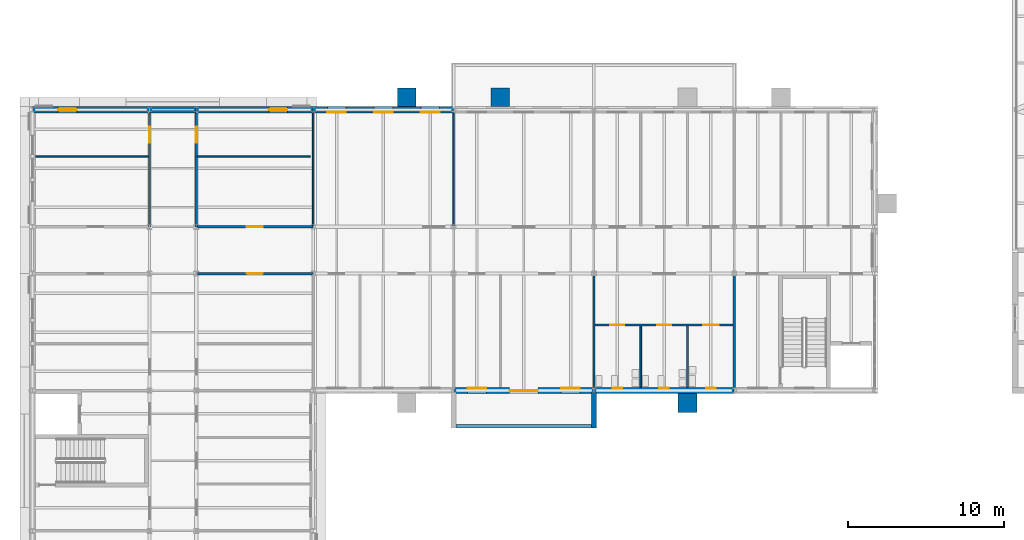
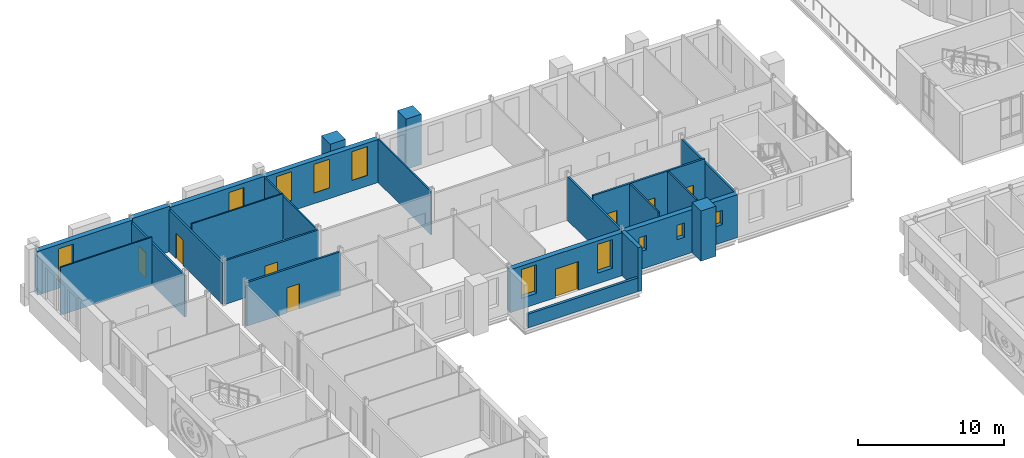
# One storey, part 111 of 154: 24 walls, 10 windows, 8 doors, 18 openings.
"""IFC4 building model written with IfcOpenShell, lengths in metres."""

import ifcopenshell
import ifcopenshell.guid

model = None  # the IFC model being written
_history = None  # IfcOwnerHistory: only IFC2X3 demands one
_inside = {}  # id of a spatial element -> (the spatial element, [elements in it])
_under = {}  # id of a project, library or spatial element -> (it, [spatial elements below it])
_declared = {}  # id of a project -> (the project, [libraries it declares])
_typed = {}  # id of a type object -> (the type object, [elements of that type])
_made_of = {}  # id of a material, layer set ... -> (it, [elements and type objects made of it])


def new_model(schema):
    """Start an empty IFC model of exactly this schema.

    Asked for "IFC4X3", IfcOpenShell would pick the latest addendum, in which some entities
    have other attributes; the version numbers below select the first issue.
    IFC2X3 requires an IfcOwnerHistory on every rooted entity: one is made here for all.
    """
    global model, _history
    if schema == "IFC4X3":
        model = ifcopenshell.file(schema_version=(4, 3, 0, 0))
    else:
        model = ifcopenshell.file(schema=schema)
    _inside.clear()
    _under.clear()
    _declared.clear()
    _typed.clear()
    _made_of.clear()
    _history = None
    if model.schema == "IFC2X3":
        org = make("IfcOrganization", Name="unknown")
        user = make(
            "IfcPersonAndOrganization",
            ThePerson=make("IfcPerson", FamilyName="unknown"),
            TheOrganization=org,
        )
        app = make(
            "IfcApplication",
            ApplicationDeveloper=org,
            Version="unknown",
            ApplicationFullName="unknown",
            ApplicationIdentifier="unknown",
        )
        _history = make(
            "IfcOwnerHistory",
            OwningUser=user,
            OwningApplication=app,
            ChangeAction="ADDED",
            CreationDate=0,
        )
    return model


def make(cls, **values):
    """One entity of the class cls with the attributes given. An attribute that is None is left unset."""
    return model.create_entity(
        cls, **{name: value for name, value in values.items() if value is not None}
    )


def rooted(cls, **values):
    """An entity with a GlobalId (a new one), such as an element, a storey or a relation."""
    return make(cls, GlobalId=ifcopenshell.guid.new(), OwnerHistory=_history, **values)


def si_unit(unit_type, name, prefix=None):
    """IfcSIUnit, for example si_unit("LENGTHUNIT", "METRE", prefix="MILLI")."""
    return make("IfcSIUnit", UnitType=unit_type, Prefix=prefix, Name=name)


def assignment(units):
    """IfcUnitAssignment: the units of a project."""
    return None if units is None else make("IfcUnitAssignment", Units=units)


def point(xyz):
    """IfcCartesianPoint."""
    return None if xyz is None else make("IfcCartesianPoint", Coordinates=xyz)


def direction(xyz):
    """IfcDirection."""
    return None if xyz is None else make("IfcDirection", DirectionRatios=xyz)


def frame(location, z_axis=None, x_axis=None):
    """IfcAxis2Placement3D, a coordinate frame: its origin and axes. An axis left out is left unset."""
    return make(
        "IfcAxis2Placement3D",
        Location=point(location),
        Axis=direction(z_axis),
        RefDirection=direction(x_axis),
    )


def frame_2d(location, x_axis=None):
    """IfcAxis2Placement2D, a coordinate frame in the plane: its origin and x axis."""
    return make(
        "IfcAxis2Placement2D", Location=point(location), RefDirection=direction(x_axis)
    )


def origin():
    """The frame at (0, 0, 0) with its axes left unset."""
    return frame((0.0, 0.0, 0.0))


def place(relative_to, where):
    """IfcLocalPlacement: puts the frame where relative to a parent placement (None: the world)."""
    return make(
        "IfcLocalPlacement", PlacementRelTo=relative_to, RelativePlacement=where
    )


def context(
    kind, dimensions, precision=None, world=None, true_north=None, identifier=None
):
    """IfcGeometricRepresentationContext, for example the 3D "Model" context."""
    return make(
        "IfcGeometricRepresentationContext",
        ContextIdentifier=identifier,
        ContextType=kind,
        CoordinateSpaceDimension=dimensions,
        Precision=precision,
        WorldCoordinateSystem=world,
        TrueNorth=true_north,
    )


def subcontext(parent, identifier, kind, view, scale=None):
    """IfcGeometricRepresentationSubContext, for example "Body" below "Model"."""
    return make(
        "IfcGeometricRepresentationSubContext",
        ContextIdentifier=identifier,
        ContextType=kind,
        ParentContext=parent,
        TargetScale=scale,
        TargetView=view,
    )


def project(units=None, contexts=None):
    """IfcProject with its units and contexts."""
    return rooted(
        "IfcProject",
        Name="project",
        RepresentationContexts=contexts,
        UnitsInContext=assignment(units),
    )


def spatial(cls, under=None, at=None, **own):
    """A site, building, storey or space (cls), placed at a placement, below another one or the project."""
    s = rooted(cls, ObjectPlacement=at, **own)
    if under is not None:
        _under.setdefault(under.id(), (under, []))[1].append(s)
    return s


def profile(cls, at=None, kind="AREA", **sizes):
    """A parametric profile (cls). Its sizes go by their IFC names, for example OverallWidth=200.0."""
    return make(cls, ProfileType=kind, Position=at, **sizes)


def rectangle(**sizes):
    """IfcRectangleProfileDef."""
    return profile("IfcRectangleProfileDef", **sizes)


def extrude(swept, where, along, depth):
    """IfcExtrudedAreaSolid: the profile swept, set in the frame where, extruded along a direction by depth."""
    return make(
        "IfcExtrudedAreaSolid",
        SweptArea=swept,
        Position=where,
        ExtrudedDirection=direction(along),
        Depth=depth,
    )


def shape(context_of_items, identifier, shape_type, items):
    """IfcShapeRepresentation: the items that make up one representation, for example the "Body"."""
    return make(
        "IfcShapeRepresentation",
        ContextOfItems=context_of_items,
        RepresentationIdentifier=identifier,
        RepresentationType=shape_type,
        Items=items,
    )


def material(Name=None, Category=None):
    """IfcMaterial."""
    return make("IfcMaterial", Name=Name, Category=Category)


def layer(
    of_material, thickness, ventilated=None, Name=None, Category=None, Priority=None
):
    """IfcMaterialLayer: one layer of a wall or slab, of a material (None: an air gap)."""
    return make(
        "IfcMaterialLayer",
        Material=of_material,
        LayerThickness=thickness,
        IsVentilated=ventilated,
        Name=Name,
        Category=Category,
        Priority=Priority,
    )


def layer_set(layers, Name=None):
    """IfcMaterialLayerSet."""
    return make("IfcMaterialLayerSet", MaterialLayers=layers, LayerSetName=Name)


def made_of(thing, what):
    """Note that an element or type object is made of a material, layer set ...; save() writes the relation."""
    if what is not None:
        _made_of.setdefault(what.id(), (what, []))[1].append(thing)
    return thing


def type_object(cls, material=None, **own):
    """A type object (cls), such as IfcWallType, which elements share."""
    return made_of(rooted(cls, **own), material)


def element(
    cls,
    number,
    at=None,
    inside=None,
    cuts=None,
    type_object=None,
    material=None,
    context=None,
    identifier="Body",
    shape_type=None,
    held_by="IfcProductDefinitionShape",
    body=None,
    shapes=None,
    **own,
):
    """One element of the class cls, such as IfcWall. Its Tag is "e" and its number.

    at: its placement. inside: the storey or other place that contains it. cuts: it is an
    opening in that element (IfcRelVoidsElement). A single representation is given by context,
    identifier, shape_type and body (its items); several are given by shapes. held_by: the class
    of the entity that holds the representations. save() writes the other relations.
    """
    e = rooted(cls, Tag="e%d" % number, ObjectPlacement=at, **own)
    if body is not None:
        shapes = [shape(context, identifier, shape_type, body)]
    if shapes is not None:
        e.Representation = make(held_by, Representations=shapes)
    if inside is not None:
        _inside.setdefault(inside.id(), (inside, []))[1].append(e)
    if cuts is not None:
        rooted(
            "IfcRelVoidsElement", RelatingBuildingElement=cuts, RelatedOpeningElement=e
        )
    if type_object is not None:
        _typed.setdefault(type_object.id(), (type_object, []))[1].append(e)
    return made_of(e, material)


def fill(opening, filler):
    """IfcRelFillsElement: the door or window that sits in an opening."""
    return rooted(
        "IfcRelFillsElement",
        RelatingOpeningElement=opening,
        RelatedBuildingElement=filler,
    )


def aggregate(whole, parts):
    """IfcRelAggregates: a whole, such as a stair, and the parts it consists of."""
    return rooted("IfcRelAggregates", RelatingObject=whole, RelatedObjects=parts)


def save(model, path):
    """Write the relations noted so far, then the file.

    IfcRelAggregates (storeys below a building ...), IfcRelContainedInSpatialStructure (elements
    in a storey), IfcRelDefinesByType, IfcRelAssociatesMaterial and IfcRelDeclares: one each for
    every whole, place, type object, material and project.
    """
    for whole, parts in _under.values():
        aggregate(whole, parts)
    for where, things in _inside.values():
        rooted(
            "IfcRelContainedInSpatialStructure",
            RelatedElements=things,
            RelatingStructure=where,
        )
    for kind, things in _typed.values():
        rooted("IfcRelDefinesByType", RelatedObjects=things, RelatingType=kind)
    for what, things in _made_of.values():
        rooted("IfcRelAssociatesMaterial", RelatedObjects=things, RelatingMaterial=what)
    for by, libraries in _declared.values():
        rooted("IfcRelDeclares", RelatingContext=by, RelatedDefinitions=libraries)
    model.write(path)


model = new_model("IFC4")

# Units and contexts
model_context = context("Model", 3, precision=1e-05, world=origin(), true_north=direction((0.0, 1.0)))
body_context = subcontext(model_context, "Body", "Model", "MODEL_VIEW")
ifc_project = project(units=[si_unit("LENGTHUNIT", "METRE"), si_unit("AREAUNIT", "SQUARE_METRE"), si_unit("VOLUMEUNIT", "CUBIC_METRE"), si_unit("PLANEANGLEUNIT", "RADIAN"), si_unit("MASSUNIT", "GRAM", prefix="KILO")], contexts=[model_context])

# Site, building, storey
site_placement = place(None, origin())
site = spatial("IfcSite", under=ifc_project, at=site_placement, CompositionType="ELEMENT")
building_placement = place(site_placement, origin())
building = spatial("IfcBuilding", under=site, at=building_placement, Name="Golden Quay Civic Hall", CompositionType="ELEMENT")
storey_placement = place(building_placement, frame((0.0, 0.0, 14.39990234375)))
storey = spatial("IfcBuildingStorey", under=building, at=storey_placement, Name="L03", CompositionType="ELEMENT", Elevation=14.39990234375)

# Wall
ifc_material_1 = material(Name="Brick, dark clay facing", Category="masonry")
ifc_layer_1 = layer(ifc_material_1, 0.199951171875)
ifc_layer_set_1 = layer_set([ifc_layer_1], Name="Brick balustrade wall 200")
wall_type_1 = type_object("IfcWallType", Name="Brick balustrade wall 200", PredefinedType="STANDARD", material=ifc_layer_set_1)
wall_1_placement = place(storey_placement, frame((27.14990234375, 60.719970703125, 0.0), z_axis=(0.0, 0.0, 1.0), x_axis=(1.0, 0.0, 0.0)))
element("IfcWall", 1, at=wall_1_placement, inside=storey, type_object=wall_type_1, Name="Brick balustrade wall 200 L03 1", PredefinedType="STANDARD", context=body_context, shape_type="SweptSolid", body=[
    extrude(rectangle(XDim=8.7001953125, YDim=0.199951171875, at=frame_2d((4.35009765625, 0.0))), origin(), (0.0, 0.0, 1.0), 1.150146484375),
])

# Wall, openings, windows
ifc_material_2 = material(Name="Brick, dark clay facing", Category="masonry")
ifc_layer_2 = layer(ifc_material_2, 0.39990234375)
ifc_layer_set_2 = layer_set([ifc_layer_2], Name="Brick external wall 400")
wall_type_2 = type_object("IfcWallType", Name="Brick external wall 400", PredefinedType="STANDARD", material=ifc_layer_set_2)
wall_2_placement = place(storey_placement, frame((18.009033203125, 81.0, 0.0), z_axis=(0.0, 0.0, 1.0), x_axis=(1.0, 0.0, 0.0)))
wall_2 = element("IfcWall", 2, at=wall_2_placement, inside=storey, type_object=wall_type_2, Name="Brick external wall 400 L03 2", PredefinedType="STANDARD", context=body_context, shape_type="SweptSolid", body=[
    extrude(rectangle(XDim=8.982177734375, YDim=0.39990234375, at=frame_2d((4.4912109375, 0.0))), origin(), (0.0, 0.0, 1.0), 3.60009765625),
])
opening_1_placement = place(wall_2_placement, frame((0.89111328125, 0.0, 0.89990234375)))
opening_1 = element("IfcOpeningElement", 3, at=opening_1_placement, cuts=wall_2, Name="Opening WN7", PredefinedType="OPENING", context=body_context, shape_type="SweptSolid", body=[
    extrude(rectangle(XDim=1.199951171875, YDim=2.39990234375, at=frame_2d((0.60009765625, 1.199951171875))), frame((0.0, 0.2099609375, 0.0), z_axis=(0.0, -1.0, 0.0), x_axis=(1.0, 0.0, 0.0)), (0.0, 0.0, 1.0), 0.419921875),
])
opening_2_placement = place(wall_2_placement, frame((3.89111328125, 0.0, 0.89990234375)))
opening_2 = element("IfcOpeningElement", 4, at=opening_2_placement, cuts=wall_2, Name="Opening WN7", PredefinedType="OPENING", context=body_context, shape_type="SweptSolid", body=[
    extrude(rectangle(XDim=1.199951171875, YDim=2.39990234375, at=frame_2d((0.60009765625, 1.199951171875))), frame((0.0, 0.2099609375, 0.0), z_axis=(0.0, -1.0, 0.0), x_axis=(1.0, 0.0, 0.0)), (0.0, 0.0, 1.0), 0.419921875),
])
opening_3_placement = place(wall_2_placement, frame((6.89111328125, 0.0, 0.89990234375)))
opening_3 = element("IfcOpeningElement", 5, at=opening_3_placement, cuts=wall_2, Name="Opening WN7", PredefinedType="OPENING", context=body_context, shape_type="SweptSolid", body=[
    extrude(rectangle(XDim=1.199951171875, YDim=2.39990234375, at=frame_2d((0.60009765625, 1.199951171875))), frame((0.0, 0.2099609375, 0.0), z_axis=(0.0, -1.0, 0.0), x_axis=(1.0, 0.0, 0.0)), (0.0, 0.0, 1.0), 0.419921875),
])
ifc_material_3 = material(Name="Aluminium frame, double glazed", Category="aluminium")
window_type_1 = type_object("IfcWindowType", Name="Window 1200 x 2400", PartitioningType="SINGLE_PANEL", PredefinedType="WINDOW", material=ifc_material_3)
window_1_placement = place(opening_1_placement, origin())
window_1 = element("IfcWindow", 6, at=window_1_placement, inside=storey, type_object=window_type_1, Name="Window 1200 x 2400 L03 4", OverallHeight=2.39990234375, OverallWidth=1.199951171875, PartitioningType="SINGLE_PANEL", PredefinedType="WINDOW", context=body_context, shape_type="SweptSolid", body=[
    extrude(rectangle(XDim=1.199951171875, YDim=2.39990234375, at=frame_2d((0.60009765625, 1.199951171875))), frame((0.0, -0.119873046875, 0.0), z_axis=(0.0, -1.0, 0.0), x_axis=(1.0, 0.0, 0.0)), (0.0, 0.0, 1.0), 0.06005859375),
])
fill(opening_1, window_1)
window_2_placement = place(opening_2_placement, origin())
window_2 = element("IfcWindow", 7, at=window_2_placement, inside=storey, type_object=window_type_1, Name="Window 1200 x 2400 L03 5", OverallHeight=2.39990234375, OverallWidth=1.199951171875, PartitioningType="SINGLE_PANEL", PredefinedType="WINDOW", context=body_context, shape_type="SweptSolid", body=[
    extrude(rectangle(XDim=1.199951171875, YDim=2.39990234375, at=frame_2d((0.60009765625, 1.199951171875))), frame((0.0, -0.119873046875, 0.0), z_axis=(0.0, -1.0, 0.0), x_axis=(1.0, 0.0, 0.0)), (0.0, 0.0, 1.0), 0.06005859375),
])
fill(opening_2, window_2)
window_3_placement = place(opening_3_placement, origin())
window_3 = element("IfcWindow", 8, at=window_3_placement, inside=storey, type_object=window_type_1, Name="Window 1200 x 2400 L03 6", OverallHeight=2.39990234375, OverallWidth=1.199951171875, PartitioningType="SINGLE_PANEL", PredefinedType="WINDOW", context=body_context, shape_type="SweptSolid", body=[
    extrude(rectangle(XDim=1.199951171875, YDim=2.39990234375, at=frame_2d((0.60009765625, 1.199951171875))), frame((0.0, -0.119873046875, 0.0), z_axis=(0.0, -1.0, 0.0), x_axis=(1.0, 0.0, 0.0)), (0.0, 0.0, 1.0), 0.06005859375),
])
fill(opening_3, window_3)

# Wall, openings, door, windows
wall_3_placement = place(storey_placement, frame((35.9912109375, 63.0, 0.0), z_axis=(0.0, 0.0, 1.0), x_axis=(-1.0, 0.0, 0.0)))
wall_3 = element("IfcWall", 9, at=wall_3_placement, inside=storey, type_object=wall_type_2, Name="Brick external wall 400 L03 9", PredefinedType="STANDARD", context=body_context, shape_type="SweptSolid", body=[
    extrude(rectangle(XDim=8.982421875, YDim=0.39990234375, at=frame_2d((4.4912109375, 0.0))), origin(), (0.0, 0.0, 1.0), 3.60009765625),
])
opening_4_placement = place(wall_3_placement, frame((3.59130859375, 0.0, 0.0)))
opening_4 = element("IfcOpeningElement", 10, at=opening_4_placement, cuts=wall_3, Name="Opening L03-D001", PredefinedType="OPENING", context=body_context, shape_type="SweptSolid", body=[
    extrude(rectangle(XDim=1.800048828125, YDim=2.39990234375, at=frame_2d((0.89990234375, 1.199951171875))), frame((0.0, 0.2099609375, 0.0), z_axis=(0.0, -1.0, 0.0), x_axis=(1.0, 0.0, 0.0)), (0.0, 0.0, 1.0), 0.419921875),
])
opening_5_placement = place(wall_3_placement, frame((6.891357421875, 0.0, 0.89990234375)))
opening_5 = element("IfcOpeningElement", 11, at=opening_5_placement, cuts=wall_3, Name="Opening WN7", PredefinedType="OPENING", context=body_context, shape_type="SweptSolid", body=[
    extrude(rectangle(XDim=1.199951171875, YDim=2.39990234375, at=frame_2d((0.60009765625, 1.199951171875))), frame((0.0, 0.2099609375, 0.0), z_axis=(0.0, -1.0, 0.0), x_axis=(1.0, 0.0, 0.0)), (0.0, 0.0, 1.0), 0.419921875),
])
opening_6_placement = place(wall_3_placement, frame((0.891357421875, 0.0, 0.89990234375)))
opening_6 = element("IfcOpeningElement", 12, at=opening_6_placement, cuts=wall_3, Name="Opening WN7", PredefinedType="OPENING", context=body_context, shape_type="SweptSolid", body=[
    extrude(rectangle(XDim=1.199951171875, YDim=2.39990234375, at=frame_2d((0.60009765625, 1.199951171875))), frame((0.0, 0.2099609375, 0.0), z_axis=(0.0, -1.0, 0.0), x_axis=(1.0, 0.0, 0.0)), (0.0, 0.0, 1.0), 0.419921875),
])
ifc_material_4 = material(Name="Aluminium frame, glazed", Category="aluminium")
door_type_1 = type_object("IfcDoorType", Name="Glazed double terrace door 1800 x 2400", OperationType="DOUBLE_DOOR_SINGLE_SWING", PredefinedType="DOOR", material=ifc_material_4)
door_1_placement = place(opening_4_placement, origin())
door_1 = element("IfcDoor", 13, at=door_1_placement, inside=storey, type_object=door_type_1, Name="Door L03-D001", OperationType="DOUBLE_DOOR_SINGLE_SWING", OverallHeight=2.39990234375, OverallWidth=1.800048828125, PredefinedType="DOOR", context=body_context, shape_type="SweptSolid", body=[
    extrude(rectangle(XDim=1.800048828125, YDim=2.39990234375, at=frame_2d((0.89990234375, 1.199951171875))), frame((0.0, 0.02490234375, 0.0), z_axis=(0.0, -1.0, 0.0), x_axis=(1.0, 0.0, 0.0)), (0.0, 0.0, 1.0), 0.050048828125),
])
fill(opening_4, door_1)
window_4_placement = place(opening_5_placement, origin())
window_4 = element("IfcWindow", 14, at=window_4_placement, inside=storey, type_object=window_type_1, Name="Window 1200 x 2400 L03 21", OverallHeight=2.39990234375, OverallWidth=1.199951171875, PartitioningType="SINGLE_PANEL", PredefinedType="WINDOW", context=body_context, shape_type="SweptSolid", body=[
    extrude(rectangle(XDim=1.199951171875, YDim=2.39990234375, at=frame_2d((0.60009765625, 1.199951171875))), frame((0.0, -0.119873046875, 0.0), z_axis=(0.0, -1.0, 0.0), x_axis=(1.0, 0.0, 0.0)), (0.0, 0.0, 1.0), 0.06005859375),
])
fill(opening_5, window_4)
window_5_placement = place(opening_6_placement, origin())
window_5 = element("IfcWindow", 15, at=window_5_placement, inside=storey, type_object=window_type_1, Name="Window 1200 x 2400 L03 22", OverallHeight=2.39990234375, OverallWidth=1.199951171875, PartitioningType="SINGLE_PANEL", PredefinedType="WINDOW", context=body_context, shape_type="SweptSolid", body=[
    extrude(rectangle(XDim=1.199951171875, YDim=2.39990234375, at=frame_2d((0.60009765625, 1.199951171875))), frame((0.0, -0.119873046875, 0.0), z_axis=(0.0, -1.0, 0.0), x_axis=(1.0, 0.0, 0.0)), (0.0, 0.0, 1.0), 0.06005859375),
])
fill(opening_6, window_5)

# Wall, openings, windows
wall_4_placement = place(storey_placement, frame((44.9912109375, 63.0, 0.0), z_axis=(0.0, 0.0, 1.0), x_axis=(-1.0, 0.0, 0.0)))
wall_4 = element("IfcWall", 16, at=wall_4_placement, inside=storey, type_object=wall_type_2, Name="Brick external wall 400 L03 10", PredefinedType="STANDARD", context=body_context, shape_type="SweptSolid", body=[
    extrude(rectangle(XDim=8.982421875, YDim=0.39990234375, at=frame_2d((4.4912109375, 0.0))), origin(), (0.0, 0.0, 1.0), 3.60009765625),
])
opening_7_placement = place(wall_4_placement, frame((7.191162109375, 0.0, 1.5)))
opening_7 = element("IfcOpeningElement", 17, at=opening_7_placement, cuts=wall_4, Name="Opening WN1", PredefinedType="OPENING", context=body_context, shape_type="SweptSolid", body=[
    extrude(rectangle(XDim=0.60009765625, YDim=1.199951171875, at=frame_2d((0.300048828125, 0.60009765625))), frame((0.0, 0.2099609375, 0.0), z_axis=(0.0, -1.0, 0.0), x_axis=(1.0, 0.0, 0.0)), (0.0, 0.0, 1.0), 0.419921875),
])
opening_8_placement = place(wall_4_placement, frame((4.191162109375, 0.0, 1.5)))
opening_8 = element("IfcOpeningElement", 18, at=opening_8_placement, cuts=wall_4, Name="Opening WN1", PredefinedType="OPENING", context=body_context, shape_type="SweptSolid", body=[
    extrude(rectangle(XDim=0.60009765625, YDim=1.199951171875, at=frame_2d((0.300048828125, 0.60009765625))), frame((0.0, 0.2099609375, 0.0), z_axis=(0.0, -1.0, 0.0), x_axis=(1.0, 0.0, 0.0)), (0.0, 0.0, 1.0), 0.419921875),
])
opening_9_placement = place(wall_4_placement, frame((1.191162109375, 0.0, 1.5)))
opening_9 = element("IfcOpeningElement", 19, at=opening_9_placement, cuts=wall_4, Name="Opening WN1", PredefinedType="OPENING", context=body_context, shape_type="SweptSolid", body=[
    extrude(rectangle(XDim=0.60009765625, YDim=1.199951171875, at=frame_2d((0.300048828125, 0.60009765625))), frame((0.0, 0.2099609375, 0.0), z_axis=(0.0, -1.0, 0.0), x_axis=(1.0, 0.0, 0.0)), (0.0, 0.0, 1.0), 0.419921875),
])
ifc_material_5 = material(Name="Aluminium frame, double glazed", Category="aluminium")
window_type_2 = type_object("IfcWindowType", Name="WC window 600 x 1200", PartitioningType="SINGLE_PANEL", PredefinedType="WINDOW", material=ifc_material_5)
window_6_placement = place(opening_7_placement, origin())
window_6 = element("IfcWindow", 20, at=window_6_placement, inside=storey, type_object=window_type_2, Name="WC window 600 x 1200 L03 5", OverallHeight=1.199951171875, OverallWidth=0.60009765625, PartitioningType="SINGLE_PANEL", PredefinedType="WINDOW", context=body_context, shape_type="SweptSolid", body=[
    extrude(rectangle(XDim=0.60009765625, YDim=1.199951171875, at=frame_2d((0.300048828125, 0.60009765625))), frame((0.0, -0.119873046875, 0.0), z_axis=(0.0, -1.0, 0.0), x_axis=(1.0, 0.0, 0.0)), (0.0, 0.0, 1.0), 0.06005859375),
])
fill(opening_7, window_6)
window_7_placement = place(opening_8_placement, origin())
window_7 = element("IfcWindow", 21, at=window_7_placement, inside=storey, type_object=window_type_2, Name="WC window 600 x 1200 L03 6", OverallHeight=1.199951171875, OverallWidth=0.60009765625, PartitioningType="SINGLE_PANEL", PredefinedType="WINDOW", context=body_context, shape_type="SweptSolid", body=[
    extrude(rectangle(XDim=0.60009765625, YDim=1.199951171875, at=frame_2d((0.300048828125, 0.60009765625))), frame((0.0, -0.119873046875, 0.0), z_axis=(0.0, -1.0, 0.0), x_axis=(1.0, 0.0, 0.0)), (0.0, 0.0, 1.0), 0.06005859375),
])
fill(opening_8, window_7)
window_8_placement = place(opening_9_placement, origin())
window_8 = element("IfcWindow", 22, at=window_8_placement, inside=storey, type_object=window_type_2, Name="WC window 600 x 1200 L03 7", OverallHeight=1.199951171875, OverallWidth=0.60009765625, PartitioningType="SINGLE_PANEL", PredefinedType="WINDOW", context=body_context, shape_type="SweptSolid", body=[
    extrude(rectangle(XDim=0.60009765625, YDim=1.199951171875, at=frame_2d((0.300048828125, 0.60009765625))), frame((0.0, -0.119873046875, 0.0), z_axis=(0.0, -1.0, 0.0), x_axis=(1.0, 0.0, 0.0)), (0.0, 0.0, 1.0), 0.06005859375),
])
fill(opening_9, window_8)

# Walls
ifc_material_6 = material(Name="Brick, dark clay facing", Category="masonry")
ifc_layer_3 = layer(ifc_material_6, 0.300048828125)
ifc_layer_set_3 = layer_set([ifc_layer_3], Name="Brick loggia wall 300")
wall_type_3 = type_object("IfcWallType", Name="Brick loggia wall 300", PredefinedType="STANDARD", material=ifc_layer_set_3)
wall_5_placement = place(storey_placement, frame((36.0, 62.885009765625, 0.0), z_axis=(0.0, 0.0, 1.0), x_axis=(0.0, -1.0, 0.0)))
element("IfcWall", 23, at=wall_5_placement, inside=storey, type_object=wall_type_3, Name="Brick loggia wall 300 L03 2", PredefinedType="STANDARD", context=body_context, shape_type="SweptSolid", body=[
    extrude(rectangle(XDim=2.284912109375, YDim=0.300048828125, at=frame_2d((1.142578125, 0.0))), origin(), (0.0, 0.0, 1.0), 3.670166015625),
])
ifc_material_7 = material(Name="Brick, dark clay facing", Category="masonry")
ifc_layer_4 = layer(ifc_material_7, 1.199951171875)
ifc_layer_set_4 = layer_set([ifc_layer_4], Name="Brick pilaster 1200 x 1200")
wall_type_4 = type_object("IfcWallType", Name="Brick pilaster 1200 x 1200", PredefinedType="STANDARD", material=ifc_layer_set_4)
for number, where, z_axis, x_axis, name in (
    (24, (23.39990234375, 81.800048828125, 0.0), (0.0, 0.0, 1.0), (1.0, 0.0, 0.0), "Brick pilaster 1200 x 1200 L03 1"),
    (25, (29.39990234375, 81.800048828125, 0.0), (0.0, 0.0, 1.0), (1.0, 0.0, 0.0), "Brick pilaster 1200 x 1200 L03 2"),
    (26, (41.39990234375, 62.199951171875, 0.0), (0.0, 0.0, 1.0), (1.0, 0.0, 0.0), "Brick pilaster 1200 x 1200 L03 7"),
):
    element("IfcWall", number, at=place(storey_placement, frame(where, z_axis=z_axis, x_axis=x_axis)), inside=storey, type_object=wall_type_4, Name=name, PredefinedType="STANDARD", context=body_context, shape_type="SweptSolid", body=[
        extrude(rectangle(XDim=1.2001953125, YDim=1.199951171875, at=frame_2d((0.60009765625, 0.0))), origin(), (0.0, 0.0, 1.0), 4.2001953125),
    ])
ifc_material_8 = material(Name="Plasterboard on steel studs", Category="steel")
ifc_layer_5 = layer(ifc_material_8, 0.10009765625)
ifc_layer_set_5 = layer_set([ifc_layer_5], Name="Partition 100 stud")
wall_type_5 = type_object("IfcWallType", Name="Partition 100 stud", PredefinedType="PARTITIONING", material=ifc_layer_set_5)
for number, where, z_axis, x_axis, name in (
    (27, (0.199951171875, 78.0, 0.0), (0.0, 0.0, 1.0), (1.0, 0.0, 0.0), "Partition L03-044"),
    (28, (10.574951171875, 78.0, 0.0), (0.0, 0.0, 1.0), (1.0, 0.0, 0.0), "Partition L03-045"),
):
    element("IfcWall", number, at=place(storey_placement, frame(where, z_axis=z_axis, x_axis=x_axis)), inside=storey, type_object=wall_type_5, Name=name, PredefinedType="PARTITIONING", context=body_context, shape_type="SweptSolid", body=[
        extrude(rectangle(XDim=7.22509765625, YDim=0.10009765625, at=frame_2d((3.612548828125, 0.0))), origin(), (0.0, 0.0, 1.0), 4.0),
    ])
wall_6_placement = place(storey_placement, frame((18.0, 73.574951171875, 0.0), z_axis=(0.0, 0.0, 1.0), x_axis=(0.0, 1.0, 0.0)))
element("IfcWall", 29, at=wall_6_placement, inside=storey, type_object=wall_type_5, Name="Partition L03-047", PredefinedType="PARTITIONING", context=body_context, shape_type="SweptSolid", body=[
    extrude(rectangle(XDim=7.22509765625, YDim=0.10009765625, at=frame_2d((3.612548828125, 0.0))), origin(), (0.0, 0.0, 1.0), 3.580078125),
])
wall_7_placement = place(storey_placement, frame((27.0, 73.574951171875, 0.0), z_axis=(0.0, 0.0, 1.0), x_axis=(0.0, 1.0, 0.0)))
element("IfcWall", 30, at=wall_7_placement, inside=storey, type_object=wall_type_5, Name="Partition L03-004", PredefinedType="PARTITIONING", context=body_context, shape_type="SweptSolid", body=[
    extrude(rectangle(XDim=7.22509765625, YDim=0.10009765625, at=frame_2d((3.612548828125, 0.0))), origin(), (0.0, 0.0, 1.0), 3.650146484375),
])
for number, where, z_axis, x_axis, name in (
    (31, (39.0, 63.199951171875, 0.0), (0.0, 0.0, 1.0), (0.0, 1.0, 0.0), "Partition L03-015"),
    (32, (42.0, 63.199951171875, 0.0), (0.0, 0.0, 1.0), (0.0, 1.0, 0.0), "Partition L03-016"),
):
    element("IfcWall", number, at=place(storey_placement, frame(where, z_axis=z_axis, x_axis=x_axis)), inside=storey, type_object=wall_type_5, Name=name, PredefinedType="PARTITIONING", context=body_context, shape_type="SweptSolid", body=[
        extrude(rectangle(XDim=3.925048828125, YDim=0.10009765625, at=frame_2d((1.96240234375, 0.0))), origin(), (0.0, 0.0, 1.0), 4.0),
    ])

# Wall, opening, door
ifc_material_9 = material(Name="Plasterboard on steel studs", Category="steel")
ifc_layer_6 = layer(ifc_material_9, 0.14990234375)
ifc_layer_set_6 = layer_set([ifc_layer_6], Name="Partition 150 stud fire EI 60")
wall_type_6 = type_object("IfcWallType", Name="Partition 150 stud fire EI 60", PredefinedType="PARTITIONING", material=ifc_layer_set_6)
wall_8_placement = place(storey_placement, frame((7.5, 73.5, 0.0), z_axis=(0.0, 0.0, 1.0), x_axis=(0.0, 1.0, 0.0)))
wall_8 = element("IfcWall", 33, at=wall_8_placement, inside=storey, type_object=wall_type_6, Name="Partition L03-031", PredefinedType="PARTITIONING", context=body_context, shape_type="SweptSolid", body=[
    extrude(rectangle(XDim=7.300048828125, YDim=0.14990234375, at=frame_2d((3.64990234375, 0.0))), origin(), (0.0, 0.0, 1.0), 3.47998046875),
])
opening_10_placement = place(wall_8_placement, frame((5.39990234375, 0.0, 0.0)))
opening_10 = element("IfcOpeningElement", 34, at=opening_10_placement, cuts=wall_8, Name="Opening L03-D050", PredefinedType="OPENING", context=body_context, shape_type="SweptSolid", body=[
    extrude(rectangle(XDim=1.0, YDim=2.10009765625, at=frame_2d((0.5, 1.050048828125))), frame((0.0, 0.0849609375, 0.0), z_axis=(0.0, -1.0, 0.0), x_axis=(1.0, 0.0, 0.0)), (0.0, 0.0, 1.0), 0.169921875),
])
ifc_material_10 = material(Name="Steel", Category="steel")
door_type_2 = type_object("IfcDoorType", Name="Steel fire door FD30S 1000 x 2100", OperationType="SINGLE_SWING_LEFT", PredefinedType="DOOR", material=ifc_material_10)
door_2_placement = place(opening_10_placement, origin())
door_2 = element("IfcDoor", 35, at=door_2_placement, inside=storey, type_object=door_type_2, Name="Door L03-D050", OperationType="SINGLE_SWING_LEFT", OverallHeight=2.10009765625, OverallWidth=1.0, PredefinedType="DOOR", context=body_context, shape_type="SweptSolid", body=[
    extrude(rectangle(XDim=1.0, YDim=2.10009765625, at=frame_2d((0.5, 1.050048828125))), frame((0.0, 0.02490234375, 0.0), z_axis=(0.0, -1.0, 0.0), x_axis=(1.0, 0.0, 0.0)), (0.0, 0.0, 1.0), 0.050048828125),
])
fill(opening_10, door_2)

wall_9_placement = place(storey_placement, frame((10.5, 73.5, 0.0), z_axis=(0.0, 0.0, 1.0), x_axis=(0.0, 1.0, 0.0)))
wall_9 = element("IfcWall", 36, at=wall_9_placement, inside=storey, type_object=wall_type_6, Name="Partition L03-033", PredefinedType="PARTITIONING", context=body_context, shape_type="SweptSolid", body=[
    extrude(rectangle(XDim=7.300048828125, YDim=0.14990234375, at=frame_2d((3.64990234375, 0.0))), origin(), (0.0, 0.0, 1.0), 3.47998046875),
])
opening_11_placement = place(wall_9_placement, frame((5.39990234375, 0.0, 0.0)))
opening_11 = element("IfcOpeningElement", 37, at=opening_11_placement, cuts=wall_9, Name="Opening L03-D052", PredefinedType="OPENING", context=body_context, shape_type="SweptSolid", body=[
    extrude(rectangle(XDim=1.0, YDim=2.10009765625, at=frame_2d((0.5, 1.050048828125))), frame((0.0, 0.0849609375, 0.0), z_axis=(0.0, -1.0, 0.0), x_axis=(1.0, 0.0, 0.0)), (0.0, 0.0, 1.0), 0.169921875),
])
door_3_placement = place(opening_11_placement, frame((1.0, 0.0, 0.0), z_axis=(0.0, 0.0, 1.0), x_axis=(-1.0, 0.0, 0.0)))
door_3 = element("IfcDoor", 38, at=door_3_placement, inside=storey, type_object=door_type_2, Name="Door L03-D052", OperationType="SINGLE_SWING_RIGHT", OverallHeight=2.10009765625, OverallWidth=1.0, PredefinedType="DOOR", context=body_context, shape_type="SweptSolid", body=[
    extrude(rectangle(XDim=1.0, YDim=2.10009765625, at=frame_2d((0.5, 1.050048828125))), frame((0.0, 0.025146484375, 0.0), z_axis=(0.0, -1.0, 0.0), x_axis=(1.0, 0.0, 0.0)), (0.0, 0.0, 1.0), 0.050048828125),
])
fill(opening_11, door_3)

wall_10_placement = place(storey_placement, frame((10.574951171875, 70.5, 0.0), z_axis=(0.0, 0.0, 1.0), x_axis=(1.0, 0.0, 0.0)))
wall_10 = element("IfcWall", 39, at=wall_10_placement, inside=storey, type_object=wall_type_6, Name="Partition L03-037", PredefinedType="PARTITIONING", context=body_context, shape_type="SweptSolid", body=[
    extrude(rectangle(XDim=7.425048828125, YDim=0.14990234375, at=frame_2d((3.71240234375, 0.0))), origin(), (0.0, 0.0, 1.0), 3.650146484375),
])
opening_12_placement = place(wall_10_placement, frame((3.175048828125, 0.0, 0.0)))
opening_12 = element("IfcOpeningElement", 40, at=opening_12_placement, cuts=wall_10, Name="Opening L03-D048", PredefinedType="OPENING", context=body_context, shape_type="SweptSolid", body=[
    extrude(rectangle(XDim=1.0, YDim=2.10009765625, at=frame_2d((0.5, 1.050048828125))), frame((0.0, 0.0849609375, 0.0), z_axis=(0.0, -1.0, 0.0), x_axis=(1.0, 0.0, 0.0)), (0.0, 0.0, 1.0), 0.169921875),
])
door_4_placement = place(opening_12_placement, frame((1.0, 0.0, 0.0), z_axis=(0.0, 0.0, 1.0), x_axis=(-1.0, 0.0, 0.0)))
door_4 = element("IfcDoor", 41, at=door_4_placement, inside=storey, type_object=door_type_2, Name="Door L03-D048", OperationType="SINGLE_SWING_RIGHT", OverallHeight=2.10009765625, OverallWidth=1.0, PredefinedType="DOOR", context=body_context, shape_type="SweptSolid", body=[
    extrude(rectangle(XDim=1.0, YDim=2.10009765625, at=frame_2d((0.5, 1.050048828125))), frame((0.0, 0.025146484375, 0.0), z_axis=(0.0, -1.0, 0.0), x_axis=(1.0, 0.0, 0.0)), (0.0, 0.0, 1.0), 0.050048828125),
])
fill(opening_12, door_4)

wall_11_placement = place(storey_placement, frame((10.574951171875, 73.5, 0.0), z_axis=(0.0, 0.0, 1.0), x_axis=(1.0, 0.0, 0.0)))
wall_11 = element("IfcWall", 42, at=wall_11_placement, inside=storey, type_object=wall_type_6, Name="Partition L03-038", PredefinedType="PARTITIONING", context=body_context, shape_type="SweptSolid", body=[
    extrude(rectangle(XDim=7.425048828125, YDim=0.14990234375, at=frame_2d((3.71240234375, 0.0))), origin(), (0.0, 0.0, 1.0), 3.650146484375),
])
opening_13_placement = place(wall_11_placement, frame((3.175048828125, 0.0, 0.0)))
opening_13 = element("IfcOpeningElement", 43, at=opening_13_placement, cuts=wall_11, Name="Opening L03-D051", PredefinedType="OPENING", context=body_context, shape_type="SweptSolid", body=[
    extrude(rectangle(XDim=1.0, YDim=2.10009765625, at=frame_2d((0.5, 1.050048828125))), frame((0.0, 0.0849609375, 0.0), z_axis=(0.0, -1.0, 0.0), x_axis=(1.0, 0.0, 0.0)), (0.0, 0.0, 1.0), 0.169921875),
])
door_5_placement = place(opening_13_placement, origin())
door_5 = element("IfcDoor", 44, at=door_5_placement, inside=storey, type_object=door_type_2, Name="Door L03-D051", OperationType="SINGLE_SWING_LEFT", OverallHeight=2.10009765625, OverallWidth=1.0, PredefinedType="DOOR", context=body_context, shape_type="SweptSolid", body=[
    extrude(rectangle(XDim=1.0, YDim=2.10009765625, at=frame_2d((0.5, 1.050048828125))), frame((0.0, 0.02490234375, 0.0), z_axis=(0.0, -1.0, 0.0), x_axis=(1.0, 0.0, 0.0)), (0.0, 0.0, 1.0), 0.050048828125),
])
fill(opening_13, door_5)

# Walls
for number, where, z_axis, x_axis, name in (
    (45, (36.0, 63.199951171875, 0.0), (0.0, 0.0, 1.0), (0.0, 1.0, 0.0), "Partition L03-003"),
    (46, (45.0, 63.199951171875, 0.0), (0.0, 0.0, 1.0), (0.0, 1.0, 0.0), "Partition L03-011"),
):
    element("IfcWall", number, at=place(storey_placement, frame(where, z_axis=z_axis, x_axis=x_axis)), inside=storey, type_object=wall_type_6, Name=name, PredefinedType="PARTITIONING", context=body_context, shape_type="SweptSolid", body=[
        extrude(rectangle(XDim=7.22509765625, YDim=0.14990234375, at=frame_2d((3.612548828125, 0.0))), origin(), (0.0, 0.0, 1.0), 3.650146484375),
    ])

# Wall, openings, doors
wall_12_placement = place(storey_placement, frame((36.074951171875, 67.199951171875, 0.0), z_axis=(0.0, 0.0, 1.0), x_axis=(1.0, 0.0, 0.0)))
wall_12 = element("IfcWall", 47, at=wall_12_placement, inside=storey, type_object=wall_type_6, Name="Partition L03-014", PredefinedType="PARTITIONING", context=body_context, shape_type="SweptSolid", body=[
    extrude(rectangle(XDim=8.85009765625, YDim=0.14990234375, at=frame_2d((4.425048828125, 0.0))), origin(), (0.0, 0.0, 1.0), 4.0),
])
opening_14_placement = place(wall_12_placement, frame((0.97509765625, 0.0, 0.0)))
opening_14 = element("IfcOpeningElement", 48, at=opening_14_placement, cuts=wall_12, Name="Opening L03-D068", PredefinedType="OPENING", context=body_context, shape_type="SweptSolid", body=[
    extrude(rectangle(XDim=0.89990234375, YDim=2.10009765625, at=frame_2d((0.449951171875, 1.050048828125))), frame((0.0, 0.0849609375, 0.0), z_axis=(0.0, -1.0, 0.0), x_axis=(1.0, 0.0, 0.0)), (0.0, 0.0, 1.0), 0.169921875),
])
opening_15_placement = place(wall_12_placement, frame((3.97509765625, 0.0, 0.0)))
opening_15 = element("IfcOpeningElement", 49, at=opening_15_placement, cuts=wall_12, Name="Opening L03-D069", PredefinedType="OPENING", context=body_context, shape_type="SweptSolid", body=[
    extrude(rectangle(XDim=0.89990234375, YDim=2.10009765625, at=frame_2d((0.449951171875, 1.050048828125))), frame((0.0, 0.0849609375, 0.0), z_axis=(0.0, -1.0, 0.0), x_axis=(1.0, 0.0, 0.0)), (0.0, 0.0, 1.0), 0.169921875),
])
opening_16_placement = place(wall_12_placement, frame((6.925048828125, 0.0, 0.0)))
opening_16 = element("IfcOpeningElement", 50, at=opening_16_placement, cuts=wall_12, Name="Opening L03-D070", PredefinedType="OPENING", context=body_context, shape_type="SweptSolid", body=[
    extrude(rectangle(XDim=1.0, YDim=2.10009765625, at=frame_2d((0.5, 1.050048828125))), frame((0.0, 0.0849609375, 0.0), z_axis=(0.0, -1.0, 0.0), x_axis=(1.0, 0.0, 0.0)), (0.0, 0.0, 1.0), 0.169921875),
])
ifc_material_11 = material(Name="Timber", Category="wood")
door_type_3 = type_object("IfcDoorType", Name="Timber door 1000 x 2100", OperationType="SINGLE_SWING_LEFT", PredefinedType="DOOR", material=ifc_material_11)
door_6_placement = place(opening_16_placement, frame((1.0, 0.0, 0.0), z_axis=(0.0, 0.0, 1.0), x_axis=(-1.0, 0.0, 0.0)))
door_6 = element("IfcDoor", 51, at=door_6_placement, inside=storey, type_object=door_type_3, Name="Door L03-D070", OperationType="SINGLE_SWING_RIGHT", OverallHeight=2.10009765625, OverallWidth=1.0, PredefinedType="DOOR", context=body_context, shape_type="SweptSolid", body=[
    extrude(rectangle(XDim=1.0, YDim=2.10009765625, at=frame_2d((0.5, 1.050048828125))), frame((0.0, 0.025146484375, 0.0), z_axis=(0.0, -1.0, 0.0), x_axis=(1.0, 0.0, 0.0)), (0.0, 0.0, 1.0), 0.050048828125),
])
fill(opening_16, door_6)
ifc_material_12 = material(Name="Timber", Category="wood")
door_type_4 = type_object("IfcDoorType", Name="Timber door 900 x 2100", OperationType="SINGLE_SWING_LEFT", PredefinedType="DOOR", material=ifc_material_12)
door_7_placement = place(opening_14_placement, frame((0.89990234375, 0.0, 0.0), z_axis=(0.0, 0.0, 1.0), x_axis=(-1.0, 0.0, 0.0)))
door_7 = element("IfcDoor", 52, at=door_7_placement, inside=storey, type_object=door_type_4, Name="Door L03-D068", OperationType="SINGLE_SWING_RIGHT", OverallHeight=2.10009765625, OverallWidth=0.89990234375, PredefinedType="DOOR", context=body_context, shape_type="SweptSolid", body=[
    extrude(rectangle(XDim=0.89990234375, YDim=2.10009765625, at=frame_2d((0.449951171875, 1.050048828125))), frame((0.0, 0.025146484375, 0.0), z_axis=(0.0, -1.0, 0.0), x_axis=(1.0, 0.0, 0.0)), (0.0, 0.0, 1.0), 0.050048828125),
])
fill(opening_14, door_7)
door_8_placement = place(opening_15_placement, frame((0.89990234375, 0.0, 0.0), z_axis=(0.0, 0.0, 1.0), x_axis=(-1.0, 0.0, 0.0)))
door_8 = element("IfcDoor", 53, at=door_8_placement, inside=storey, type_object=door_type_4, Name="Door L03-D069", OperationType="SINGLE_SWING_RIGHT", OverallHeight=2.10009765625, OverallWidth=0.89990234375, PredefinedType="DOOR", context=body_context, shape_type="SweptSolid", body=[
    extrude(rectangle(XDim=0.89990234375, YDim=2.10009765625, at=frame_2d((0.449951171875, 1.050048828125))), frame((0.0, 0.025146484375, 0.0), z_axis=(0.0, -1.0, 0.0), x_axis=(1.0, 0.0, 0.0)), (0.0, 0.0, 1.0), 0.050048828125),
])
fill(opening_15, door_8)

# Wall, opening, window
ifc_material_13 = material(Name="Clay block, rendered, cream")
ifc_layer_7 = layer(ifc_material_13, 0.39990234375)
ifc_layer_set_7 = layer_set([ifc_layer_7], Name="Rendered block external wall 400")
wall_type_7 = type_object("IfcWallType", Name="Rendered block external wall 400", PredefinedType="STANDARD", material=ifc_layer_set_7)
wall_13_placement = place(storey_placement, frame((0.009033203125, 81.0, 0.0), z_axis=(0.0, 0.0, 1.0), x_axis=(1.0, 0.0, 0.0)))
wall_13 = element("IfcWall", 54, at=wall_13_placement, inside=storey, type_object=wall_type_7, Name="Rendered block external wall 400 L03 9", PredefinedType="STANDARD", context=body_context, shape_type="SweptSolid", body=[
    extrude(rectangle(XDim=7.48193359375, YDim=0.39990234375, at=frame_2d((3.740966796875, 0.0))), origin(), (0.0, 0.0, 1.0), 3.670166015625),
])
opening_17_placement = place(wall_13_placement, frame((1.64111328125, 0.0, 0.60009765625)))
opening_17 = element("IfcOpeningElement", 55, at=opening_17_placement, cuts=wall_13, Name="Opening WN8", PredefinedType="OPENING", context=body_context, shape_type="SweptSolid", body=[
    extrude(rectangle(XDim=1.199951171875, YDim=2.699951171875, at=frame_2d((0.60009765625, 1.35009765625))), frame((0.0, 0.2099609375, 0.0), z_axis=(0.0, -1.0, 0.0), x_axis=(1.0, 0.0, 0.0)), (0.0, 0.0, 1.0), 0.419921875),
])
ifc_material_14 = material(Name="Aluminium frame, double glazed", Category="aluminium")
window_type_3 = type_object("IfcWindowType", Name="Golden grid window 1200 x 2700", PartitioningType="SINGLE_PANEL", PredefinedType="WINDOW", material=ifc_material_14)
window_9_placement = place(opening_17_placement, origin())
window_9 = element("IfcWindow", 56, at=window_9_placement, inside=storey, type_object=window_type_3, Name="Golden grid window 1200 x 2700 L03 23", OverallHeight=2.699951171875, OverallWidth=1.199951171875, PartitioningType="SINGLE_PANEL", PredefinedType="WINDOW", context=body_context, shape_type="SweptSolid", body=[
    extrude(rectangle(XDim=1.199951171875, YDim=2.699951171875, at=frame_2d((0.60009765625, 1.35009765625))), frame((0.0, 0.030029296875, 0.0), z_axis=(0.0, -1.0, 0.0), x_axis=(1.0, 0.0, 0.0)), (0.0, 0.0, 1.0), 0.06005859375),
])
fill(opening_17, window_9)

# Wall
wall_14_placement = place(storey_placement, frame((7.509033203125, 81.0, 0.0), z_axis=(0.0, 0.0, 1.0), x_axis=(1.0, 0.0, 0.0)))
element("IfcWall", 57, at=wall_14_placement, inside=storey, type_object=wall_type_7, Name="Rendered block external wall 400 L03 10", PredefinedType="STANDARD", context=body_context, shape_type="SweptSolid", body=[
    extrude(rectangle(XDim=2.98193359375, YDim=0.39990234375, at=frame_2d((1.490966796875, 0.0))), origin(), (0.0, 0.0, 1.0), 3.800048828125),
])

# Wall, opening, window
wall_15_placement = place(storey_placement, frame((10.509033203125, 81.0, 0.0), z_axis=(0.0, 0.0, 1.0), x_axis=(1.0, 0.0, 0.0)))
wall_15 = element("IfcWall", 58, at=wall_15_placement, inside=storey, type_object=wall_type_7, Name="Rendered block external wall 400 L03 11", PredefinedType="STANDARD", context=body_context, shape_type="SweptSolid", body=[
    extrude(rectangle(XDim=7.48193359375, YDim=0.39990234375, at=frame_2d((3.740966796875, 0.0))), origin(), (0.0, 0.0, 1.0), 3.670166015625),
])
opening_18_placement = place(wall_15_placement, frame((4.64111328125, 0.0, 0.60009765625)))
opening_18 = element("IfcOpeningElement", 59, at=opening_18_placement, cuts=wall_15, Name="Opening WN8", PredefinedType="OPENING", context=body_context, shape_type="SweptSolid", body=[
    extrude(rectangle(XDim=1.199951171875, YDim=2.699951171875, at=frame_2d((0.60009765625, 1.35009765625))), frame((0.0, 0.2099609375, 0.0), z_axis=(0.0, -1.0, 0.0), x_axis=(1.0, 0.0, 0.0)), (0.0, 0.0, 1.0), 0.419921875),
])
window_10_placement = place(opening_18_placement, origin())
window_10 = element("IfcWindow", 60, at=window_10_placement, inside=storey, type_object=window_type_3, Name="Golden grid window 1200 x 2700 L03 24", OverallHeight=2.699951171875, OverallWidth=1.199951171875, PartitioningType="SINGLE_PANEL", PredefinedType="WINDOW", context=body_context, shape_type="SweptSolid", body=[
    extrude(rectangle(XDim=1.199951171875, YDim=2.699951171875, at=frame_2d((0.60009765625, 1.35009765625))), frame((0.0, 0.030029296875, 0.0), z_axis=(0.0, -1.0, 0.0), x_axis=(1.0, 0.0, 0.0)), (0.0, 0.0, 1.0), 0.06005859375),
])
fill(opening_18, window_10)

save(model, "model.ifc")
